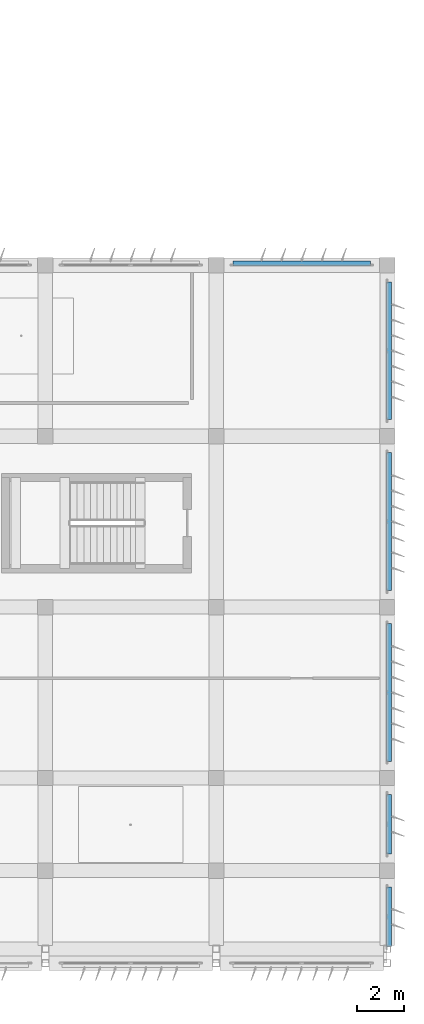
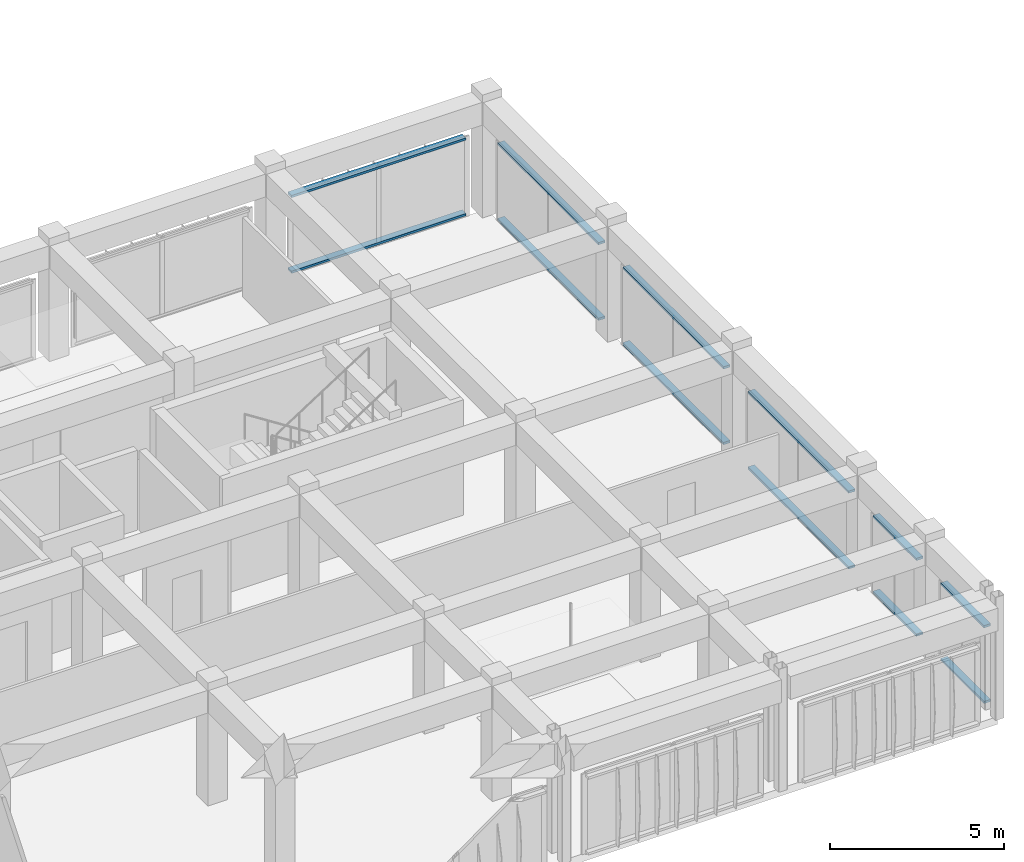
# One storey, part 44 of 53: 12 discrete accessories.
"""IFC4 building model written with IfcOpenShell, lengths in metres."""

from ifc_helpers import new_model, si_unit, direction, frame, origin, origin_2d, place, context, subcontext, project, spatial, rectangle, extrude, material, type_object, element, save


model = new_model("IFC4")

# Units and contexts
model_context = context("Model", 3, precision=1e-05, world=origin(), true_north=direction((0.0, 1.0)))
body_context = subcontext(model_context, "Body", "Model", "MODEL_VIEW")
ifc_project = project(units=[si_unit("LENGTHUNIT", "METRE"), si_unit("AREAUNIT", "SQUARE_METRE"), si_unit("VOLUMEUNIT", "CUBIC_METRE"), si_unit("PLANEANGLEUNIT", "RADIAN"), si_unit("MASSUNIT", "GRAM", prefix="KILO")], contexts=[model_context])

# Site, building, storey
site_placement = place(None, origin())
site = spatial("IfcSite", under=ifc_project, at=site_placement, CompositionType="ELEMENT")
building_placement = place(site_placement, origin())
building = spatial("IfcBuilding", under=site, at=building_placement, Name="Kazehaya Institute of Natural Sciences", CompositionType="ELEMENT")
storey_placement = place(building_placement, frame((0.0, 0.0, 33.300048828125)))
storey = spatial("IfcBuildingStorey", under=building, at=storey_placement, Name="L07", CompositionType="ELEMENT", Elevation=33.300048828125)

# Discrete accessories
ifc_material = material(Name="Aluminium alloy A6063S-T5", Category="aluminium")
discrete_accessory_type = type_object("IfcDiscreteAccessoryType", Name="ACC-BRK-01", PredefinedType="BRACKET", material=ifc_material)
for number, where, z_axis, x_axis, name in (
    (1, (115.800048828125, 35.675048828125, 0.039794921875), (0.0, 0.0, 1.0), (1.0, 0.0, 0.0), "L07 fin support outrigger rail 1"),
    (2, (115.800048828125, 35.675048828125, 2.699951171875), (0.0, 0.0, 1.0), (1.0, 0.0, 0.0), "L07 fin support outrigger rail 2"),
):
    element("IfcDiscreteAccessory", number, at=place(storey_placement, frame(where, z_axis=z_axis, x_axis=x_axis)), inside=storey, type_object=discrete_accessory_type, Name=name, PredefinedType="BRACKET", context=body_context, shape_type="SweptSolid", body=[
        extrude(rectangle(XDim=5.800048828125, YDim=0.219970703125, at=origin_2d()), origin(), (0.0, 0.0, 1.0), 0.080078125),
    ])
for number, where, z_axis, x_axis, name in (
    (3, (119.47509765625, 8.14990234375, 0.039794921875), (0.0, 0.0, 1.0), (0.0, -1.0, 0.0), "L07 fin support outrigger rail 1"),
    (4, (119.47509765625, 8.14990234375, 2.699951171875), (0.0, 0.0, 1.0), (0.0, -1.0, 0.0), "L07 fin support outrigger rail 2"),
    (5, (119.47509765625, 12.050048828125, 0.039794921875), (0.0, 0.0, 1.0), (0.0, -1.0, 0.0), "L07 fin support outrigger rail 1"),
    (6, (119.47509765625, 12.050048828125, 2.699951171875), (0.0, 0.0, 1.0), (0.0, -1.0, 0.0), "L07 fin support outrigger rail 2"),
):
    element("IfcDiscreteAccessory", number, at=place(storey_placement, frame(where, z_axis=z_axis, x_axis=x_axis)), inside=storey, type_object=discrete_accessory_type, Name=name, PredefinedType="BRACKET", context=body_context, shape_type="SweptSolid", body=[
        extrude(rectangle(XDim=2.5, YDim=0.219970703125, at=origin_2d()), origin(), (0.0, 0.0, 1.0), 0.080078125),
    ])
for number, where, z_axis, x_axis, name in (
    (7, (119.47509765625, 17.60009765625, 0.039794921875), (0.0, 0.0, 1.0), (0.0, -1.0, 0.0), "L07 fin support outrigger rail 1"),
    (8, (119.47509765625, 17.60009765625, 2.699951171875), (0.0, 0.0, 1.0), (0.0, -1.0, 0.0), "L07 fin support outrigger rail 2"),
    (9, (119.47509765625, 24.800048828125, 0.039794921875), (0.0, 0.0, 1.0), (0.0, -1.0, 0.0), "L07 fin support outrigger rail 1"),
    (10, (119.47509765625, 24.800048828125, 2.699951171875), (0.0, 0.0, 1.0), (0.0, -1.0, 0.0), "L07 fin support outrigger rail 2"),
    (11, (119.47509765625, 32.0, 0.039794921875), (0.0, 0.0, 1.0), (0.0, -1.0, 0.0), "L07 fin support outrigger rail 1"),
    (12, (119.47509765625, 32.0, 2.699951171875), (0.0, 0.0, 1.0), (0.0, -1.0, 0.0), "L07 fin support outrigger rail 2"),
):
    element("IfcDiscreteAccessory", number, at=place(storey_placement, frame(where, z_axis=z_axis, x_axis=x_axis)), inside=storey, type_object=discrete_accessory_type, Name=name, PredefinedType="BRACKET", context=body_context, shape_type="SweptSolid", body=[
        extrude(rectangle(XDim=5.800048828125, YDim=0.219970703125, at=origin_2d()), origin(), (0.0, 0.0, 1.0), 0.080078125),
    ])

save(model, "model.ifc")
